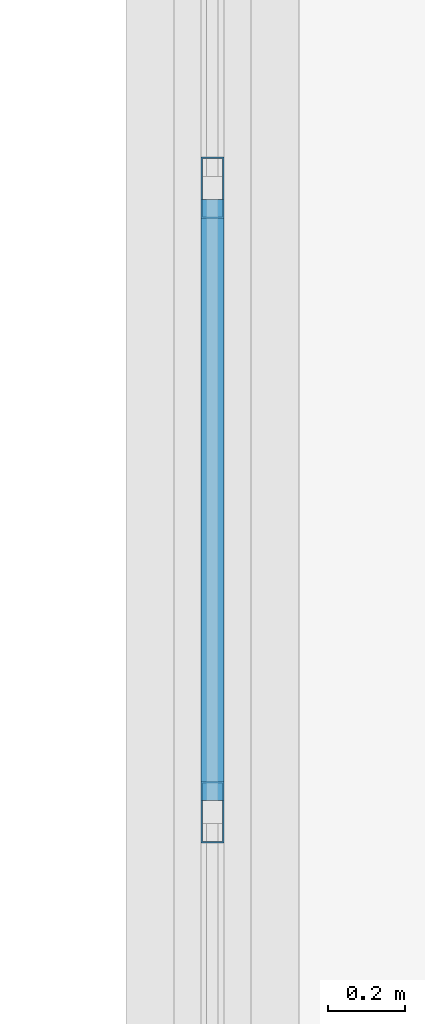
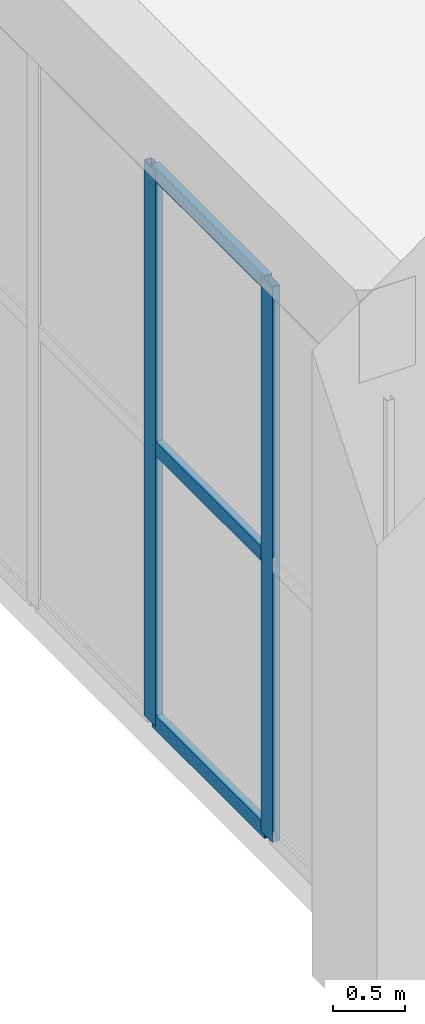
# One storey, part 142 of 223: 5 members, 1 element without a shape of its own.
"""IFC4 building model written with IfcOpenShell, lengths in metres."""

from ifc_helpers import new_model, si_unit, direction, frame, origin, origin_2d, place, context, subcontext, project, spatial, hollow_rectangle, extrude, material, layer, layer_set, material_profile, profile_set, type_object, element, aggregate, save


model = new_model("IFC4")

# Units and contexts
model_context = context("Model", 3, precision=1e-05, world=origin(), true_north=direction((0.0, 1.0)))
body_context = subcontext(model_context, "Body", "Model", "MODEL_VIEW")
ifc_project = project(units=[si_unit("LENGTHUNIT", "METRE"), si_unit("AREAUNIT", "SQUARE_METRE"), si_unit("VOLUMEUNIT", "CUBIC_METRE"), si_unit("PLANEANGLEUNIT", "RADIAN"), si_unit("MASSUNIT", "GRAM", prefix="KILO")], contexts=[model_context])

# Site, building, storey
site_placement = place(None, origin())
site = spatial("IfcSite", under=ifc_project, at=site_placement, CompositionType="ELEMENT")
building_placement = place(site_placement, origin())
building = spatial("IfcBuilding", under=site, at=building_placement, Name="Dornveld Trade and Exhibition Forum", CompositionType="ELEMENT")
storey_placement = place(building_placement, frame((0.0, 0.0, 6.0)))
storey = spatial("IfcBuildingStorey", under=building, at=storey_placement, Name="L01", CompositionType="ELEMENT", Elevation=6.0)

# Curtain wall, members
ifc_material_1 = material(Name="Dark-bronze anodised aluminium and low-E glass", Category="aluminium")
ifc_layer = layer(ifc_material_1, 0.175048828125)
ifc_layer_set = layer_set([ifc_layer], Name="Dark-bronze anodised aluminium and low-E glass")
curtain_wall_type = type_object("IfcCurtainWallType", Name="CW-SYS-11", PredefinedType="USERDEFINED", material=ifc_layer_set)
curtain_wall_placement = place(storey_placement, origin())
curtain_wall = element("IfcCurtainWall", 1, at=curtain_wall_placement, inside=storey, type_object=curtain_wall_type, Name="L01 unitised curtain wall 11", ObjectType="UNITISED_CURTAIN_WALL", PredefinedType="USERDEFINED")
ifc_material_2 = material(Name="Dark-bronze anodised aluminium", Category="aluminium")
ifc_material_profile_1 = material_profile(ifc_material_2, hollow_rectangle(XDim=0.06005859375, YDim=0.159912109375, WallThickness=0.00390625, at=origin_2d()), Name="RHS 160x60x4")
ifc_profile_set_1 = profile_set([ifc_material_profile_1], Name="Dark-bronze anodised aluminium")
member_type_1 = type_object("IfcMemberType", Name="CW-MUL-160", PredefinedType="MULLION", material=ifc_profile_set_1)
member_1_placement = place(storey_placement, frame((171.0, 128.067626953125, -0.00390625), z_axis=(0.0, 0.0, 1.0), x_axis=(-1.0, 0.0, 0.0)))
member_1 = element("IfcMember", 2, at=member_1_placement, type_object=member_type_1, Name="CW-11 mullion 2", PredefinedType="MULLION", context=body_context, shape_type="SweptSolid", body=[
    extrude(hollow_rectangle(XDim=0.06005859375, YDim=0.159912109375, WallThickness=0.00390625, at=origin_2d()), origin(), (0.0, 0.0, 1.0), 4.703857421875),
])
member_2_placement = place(storey_placement, frame((171.0, 129.689208984375, -0.00390625), z_axis=(0.0, 0.0, 1.0), x_axis=(-1.0, 0.0, 0.0)))
member_2 = element("IfcMember", 3, at=member_2_placement, type_object=member_type_1, Name="CW-11 mullion 3", PredefinedType="MULLION", context=body_context, shape_type="SweptSolid", body=[
    extrude(hollow_rectangle(XDim=0.06005859375, YDim=0.159912109375, WallThickness=0.00390625, at=origin_2d()), origin(), (0.0, 0.0, 1.0), 4.703857421875),
])
ifc_material_3 = material(Name="Dark-bronze anodised aluminium", Category="aluminium")
ifc_material_profile_2 = material_profile(ifc_material_3, hollow_rectangle(XDim=0.06005859375, YDim=0.1201171875, WallThickness=0.00390625, at=origin_2d()), Name="RHS 120x60x4")
ifc_profile_set_2 = profile_set([ifc_material_profile_2], Name="Dark-bronze anodised aluminium")
member_type_2 = type_object("IfcMemberType", Name="CW-TRN-120", PredefinedType="USERDEFINED", material=ifc_profile_set_2)
member_3_placement = place(storey_placement, frame((171.0, 128.09765625, 0.02587890625), z_axis=(0.0, 1.0, 0.0), x_axis=(-1.0, 0.0, 0.0)))
member_3 = element("IfcMember", 4, at=member_3_placement, type_object=member_type_2, Name="CW-11 transom 2.1", ObjectType="TRANSOM", PredefinedType="USERDEFINED", context=body_context, shape_type="SweptSolid", body=[
    extrude(hollow_rectangle(XDim=0.06005859375, YDim=0.1201171875, WallThickness=0.00390625, at=origin_2d()), origin(), (0.0, 0.0, 1.0), 1.5615234375),
])
member_4_placement = place(storey_placement, frame((171.0, 128.09765625, 2.347900390625), z_axis=(0.0, 1.0, 0.0), x_axis=(-1.0, 0.0, 0.0)))
member_4 = element("IfcMember", 5, at=member_4_placement, type_object=member_type_2, Name="CW-11 transom 2.2", ObjectType="TRANSOM", PredefinedType="USERDEFINED", context=body_context, shape_type="SweptSolid", body=[
    extrude(hollow_rectangle(XDim=0.06005859375, YDim=0.1201171875, WallThickness=0.00390625, at=origin_2d()), origin(), (0.0, 0.0, 1.0), 1.5615234375),
])
member_5_placement = place(storey_placement, frame((171.0, 128.09765625, 4.669921875), z_axis=(0.0, 1.0, 0.0), x_axis=(-1.0, 0.0, 0.0)))
member_5 = element("IfcMember", 6, at=member_5_placement, type_object=member_type_2, Name="CW-11 transom 2.3", ObjectType="TRANSOM", PredefinedType="USERDEFINED", context=body_context, shape_type="SweptSolid", body=[
    extrude(hollow_rectangle(XDim=0.06005859375, YDim=0.1201171875, WallThickness=0.00390625, at=origin_2d()), origin(), (0.0, 0.0, 1.0), 1.5615234375),
])
aggregate(curtain_wall, [member_1, member_2, member_3, member_4, member_5])

save(model, "model.ifc")
